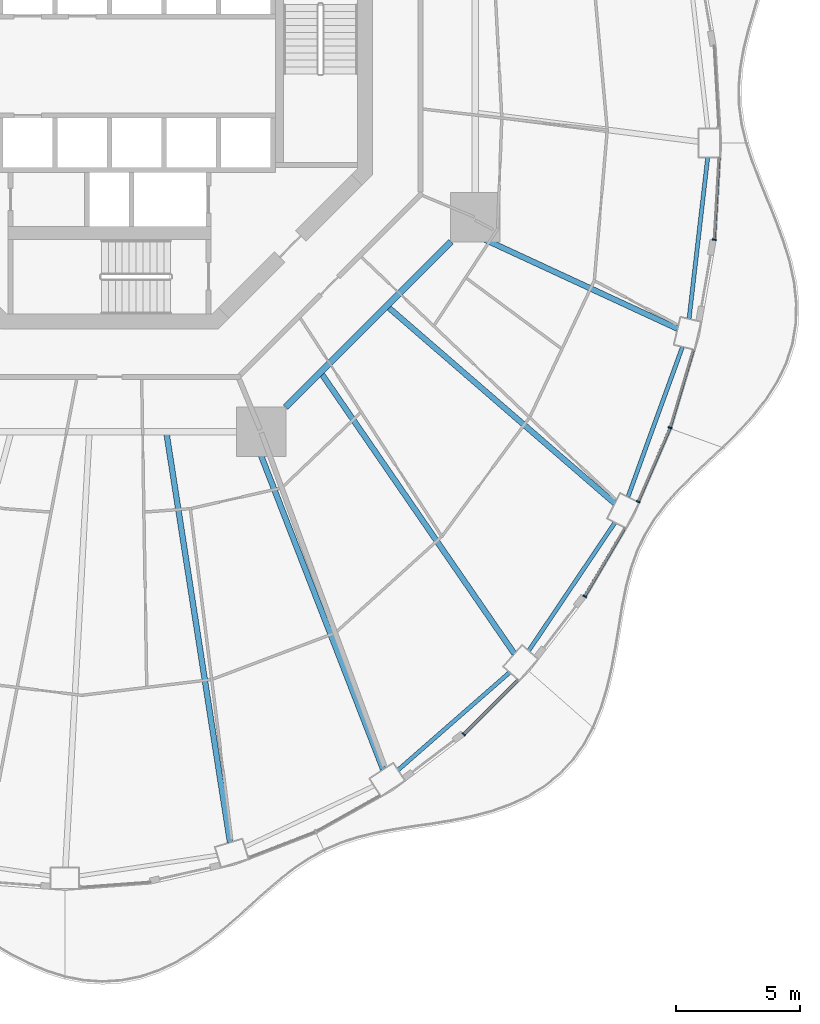
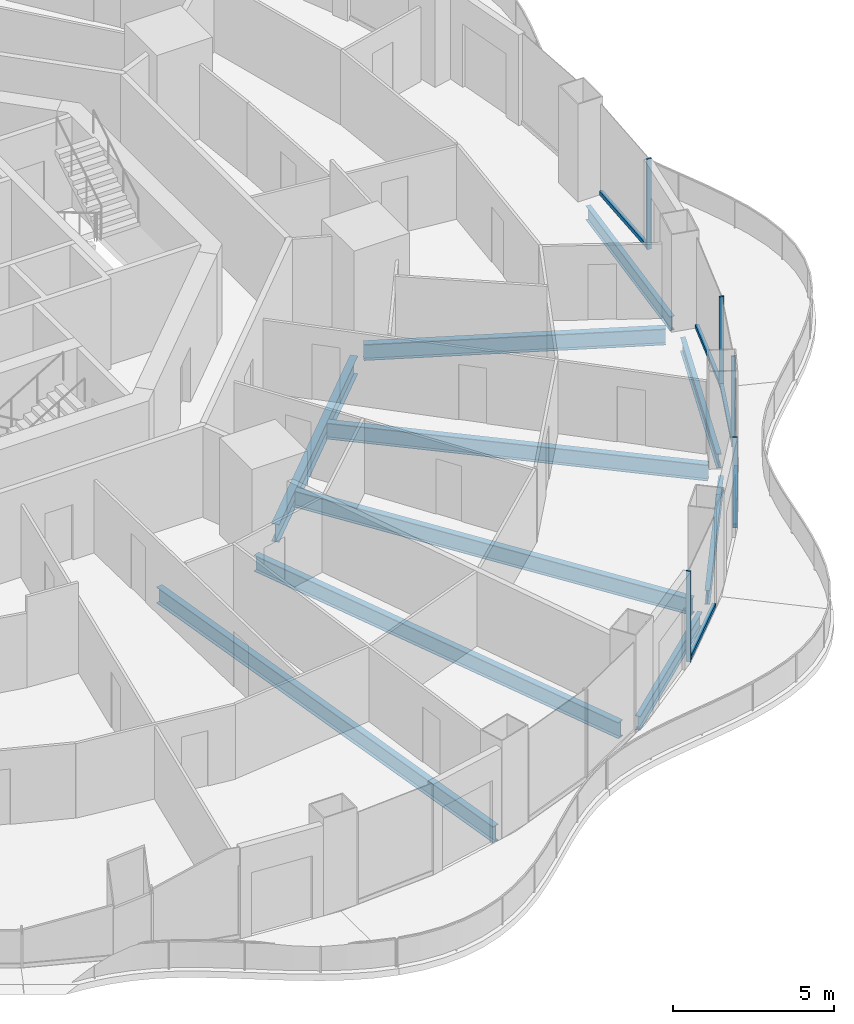
# One storey, part 6 of 21: 10 beams, 10 members, 5 elements without a shape of their own.
"""IFC4 building model written with IfcOpenShell, lengths in metres."""

from ifc_helpers import new_model, si_unit, direction, frame, origin, origin_2d, place, context, subcontext, project, spatial, rectangle, i_section, extrude, material, layer, layer_set, material_profile, profile_set, type_object, element, aggregate, save


model = new_model("IFC4")

# Units and contexts
model_context = context("Model", 3, precision=1e-05, world=origin(), true_north=direction((0.0, 1.0)))
body_context = subcontext(model_context, "Body", "Model", "MODEL_VIEW")
ifc_project = project(units=[si_unit("LENGTHUNIT", "METRE"), si_unit("AREAUNIT", "SQUARE_METRE"), si_unit("VOLUMEUNIT", "CUBIC_METRE"), si_unit("PLANEANGLEUNIT", "RADIAN"), si_unit("MASSUNIT", "GRAM", prefix="KILO")], contexts=[model_context])

# Site, building, storey
site_placement = place(None, origin())
site = spatial("IfcSite", under=ifc_project, at=site_placement, CompositionType="ELEMENT")
building_placement = place(site_placement, origin())
building = spatial("IfcBuilding", under=site, at=building_placement, Name="Nagisa Residences", CompositionType="ELEMENT")
storey_placement = place(building_placement, frame((0.0, 0.0, 134.39990234375)))
storey = spatial("IfcBuildingStorey", under=building, at=storey_placement, Name="L33", CompositionType="ELEMENT", Elevation=134.39990234375)

# Curtain wall, member
ifc_material_1 = material(Name="Concrete-coloured aluminium curtain wall system", Category="concrete")
ifc_layer = layer(ifc_material_1, 0.159912109375)
ifc_layer_set = layer_set([ifc_layer], Name="CW1 CURTAIN WALL")
curtain_wall_type = type_object("IfcCurtainWallType", Name="CW1 CURTAIN WALL", PredefinedType="NOTDEFINED", material=ifc_layer_set)
curtain_wall_1_placement = place(storey_placement, origin())
curtain_wall_1 = element("IfcCurtainWall", 1, at=curtain_wall_1_placement, inside=storey, type_object=curtain_wall_type, Name="cw:CW1:L33:41", PredefinedType="NOTDEFINED")
ifc_material_2 = material(Name="Concrete-coloured aluminium", Category="concrete")
ifc_material_profile_1 = material_profile(ifc_material_2, rectangle(XDim=0.159912109375, YDim=0.06005859375, at=origin_2d()), Name="CW1 MULLION 160x60")
ifc_profile_set_1 = profile_set([ifc_material_profile_1], Name="Concrete-coloured aluminium")
member_type_1 = type_object("IfcMemberType", Name="CW1 MULLION 160x60", PredefinedType="MULLION", material=ifc_profile_set_1)
member_1_placement = place(storey_placement, frame((14.318115234375, -26.9951171875, 0.0), z_axis=(0.0, 0.0, 1.0), x_axis=(-0.706376885714, 0.707835924016, 0.0)))
member_1 = element("IfcMember", 2, at=member_1_placement, type_object=member_type_1, Name="CW1 mullion", PredefinedType="MULLION", context=body_context, shape_type="SweptSolid", body=[
    extrude(rectangle(XDim=0.159912109375, YDim=0.06005859375, at=origin_2d()), origin(), (0.0, 0.0, 1.0), 3.440185546875),
])

curtain_wall_2_placement = place(storey_placement, origin())
curtain_wall_2 = element("IfcCurtainWall", 3, at=curtain_wall_2_placement, inside=storey, type_object=curtain_wall_type, Name="cw:CW1:L33:43", PredefinedType="NOTDEFINED")
member_2_placement = place(storey_placement, frame((19.19775390625, -21.432861328125, 0.0), z_axis=(0.0, 0.0, 1.0), x_axis=(-0.862328898214, 0.506348567002, 0.0)))
member_2 = element("IfcMember", 4, at=member_2_placement, type_object=member_type_1, Name="CW1 mullion", PredefinedType="MULLION", context=body_context, shape_type="SweptSolid", body=[
    extrude(rectangle(XDim=0.159912109375, YDim=0.06005859375, at=origin_2d()), origin(), (0.0, 0.0, 1.0), 3.440185546875),
])

curtain_wall_3_placement = place(storey_placement, origin())
curtain_wall_3 = element("IfcCurtainWall", 5, at=curtain_wall_3_placement, inside=storey, type_object=curtain_wall_type, Name="cw:CW1:L33:44", PredefinedType="NOTDEFINED")
member_3_placement = place(storey_placement, frame((21.357177734375, -17.605224609375, 0.0), z_axis=(0.0, 0.0, 1.0), x_axis=(-0.917543276295, 0.397635934147, 0.0)))
member_3 = element("IfcMember", 6, at=member_3_placement, type_object=member_type_1, Name="CW1 mullion", PredefinedType="MULLION", context=body_context, shape_type="SweptSolid", body=[
    extrude(rectangle(XDim=0.159912109375, YDim=0.06005859375, at=origin_2d()), origin(), (0.0, 0.0, 1.0), 3.440185546875),
])

curtain_wall_4_placement = place(storey_placement, origin())
curtain_wall_4 = element("IfcCurtainWall", 7, at=curtain_wall_4_placement, inside=storey, type_object=curtain_wall_type, Name="cw:CW1:L33:45", PredefinedType="NOTDEFINED")
member_4_placement = place(storey_placement, frame((22.64697265625, -14.62109375, 0.0), z_axis=(0.0, 0.0, 1.0), x_axis=(-0.958271310082, 0.285860274038, 0.0)))
member_4 = element("IfcMember", 8, at=member_4_placement, type_object=member_type_1, Name="CW1 mullion", PredefinedType="MULLION", context=body_context, shape_type="SweptSolid", body=[
    extrude(rectangle(XDim=0.159912109375, YDim=0.06005859375, at=origin_2d()), origin(), (0.0, 0.0, 1.0), 3.440185546875),
])

curtain_wall_5_placement = place(storey_placement, origin())
curtain_wall_5 = element("IfcCurtainWall", 9, at=curtain_wall_5_placement, inside=storey, type_object=curtain_wall_type, Name="cw:CW1:L33:47", PredefinedType="NOTDEFINED")
member_5_placement = place(storey_placement, frame((24.429931640625, -7.0244140625, 0.0), z_axis=(0.0, 0.0, 1.0), x_axis=(-0.998345305184, 0.057503492216, 0.0)))
member_5 = element("IfcMember", 10, at=member_5_placement, type_object=member_type_1, Name="CW1 mullion", PredefinedType="MULLION", context=body_context, shape_type="SweptSolid", body=[
    extrude(rectangle(XDim=0.159912109375, YDim=0.06005859375, at=origin_2d()), origin(), (0.0, 0.0, 1.0), 3.440185546875),
])

# Member
ifc_material_3 = material(Name="Concrete-coloured aluminium", Category="concrete")
ifc_material_profile_2 = material_profile(ifc_material_3, rectangle(XDim=0.1201171875, YDim=0.14990234375, at=origin_2d()), Name="CW1 TRANSOM 120x150")
ifc_profile_set_2 = profile_set([ifc_material_profile_2], Name="Concrete-coloured aluminium")
member_type_2 = type_object("IfcMemberType", Name="CW1 TRANSOM 120x150", PredefinedType="USERDEFINED", material=ifc_profile_set_2)
member_6_placement = place(storey_placement, frame((14.296875, -27.016357421875, 0.0751953125), z_axis=(0.707857739375, 0.706355024621, 0.0), x_axis=(-0.706355024621, 0.707857739375, 0.0)))
member_6 = element("IfcMember", 11, at=member_6_placement, type_object=member_type_2, Name="CW1 transom", ObjectType="TRANSOM", PredefinedType="USERDEFINED", context=body_context, shape_type="SweptSolid", body=[
    extrude(rectangle(XDim=0.1201171875, YDim=0.14990234375, at=origin_2d()), origin(), (0.0, 0.0, 1.0), 3.0869140625),
])

aggregate(curtain_wall_1, [member_1, member_6])

member_7_placement = place(storey_placement, frame((19.1826171875, -21.458740234375, 0.0751953125), z_axis=(0.506348207891, 0.86232910908, 0.0), x_axis=(-0.86232910908, 0.506348207891, 0.0)))
member_7 = element("IfcMember", 12, at=member_7_placement, type_object=member_type_2, Name="CW1 transom", ObjectType="TRANSOM", PredefinedType="USERDEFINED", context=body_context, shape_type="SweptSolid", body=[
    extrude(rectangle(XDim=0.1201171875, YDim=0.14990234375, at=origin_2d()), origin(), (0.0, 0.0, 1.0), 3.208251953125),
])

aggregate(curtain_wall_2, [member_2, member_7])

member_8_placement = place(storey_placement, frame((21.34521484375, -17.6328125, 0.0751953125), z_axis=(0.397666272939, 0.917530127771, 0.0), x_axis=(-0.917530127771, 0.397666272939, 0.0)))
member_8 = element("IfcMember", 13, at=member_8_placement, type_object=member_type_2, Name="CW1 transom", ObjectType="TRANSOM", PredefinedType="USERDEFINED", context=body_context, shape_type="SweptSolid", body=[
    extrude(rectangle(XDim=0.1201171875, YDim=0.14990234375, at=origin_2d()), origin(), (0.0, 0.0, 1.0), 3.260498046875),
])

aggregate(curtain_wall_3, [member_3, member_8])

member_9_placement = place(storey_placement, frame((22.638427734375, -14.64990234375, 0.0751953125), z_axis=(0.285909915381, 0.958256500258, 0.0), x_axis=(-0.958256500258, 0.285909915381, 0.0)))
member_9 = element("IfcMember", 14, at=member_9_placement, type_object=member_type_2, Name="CW1 transom", ObjectType="TRANSOM", PredefinedType="USERDEFINED", context=body_context, shape_type="SweptSolid", body=[
    extrude(rectangle(XDim=0.1201171875, YDim=0.14990234375, at=origin_2d()), origin(), (0.0, 0.0, 1.0), 3.302978515625),
])

aggregate(curtain_wall_4, [member_4, member_9])

member_10_placement = place(storey_placement, frame((24.42822265625, -7.054443359375, 0.0751953125), z_axis=(0.05746514539, 0.998347513176, 0.0), x_axis=(-0.998347513176, 0.05746514539, 0.0)))
member_10 = element("IfcMember", 15, at=member_10_placement, type_object=member_type_2, Name="CW1 transom", ObjectType="TRANSOM", PredefinedType="USERDEFINED", context=body_context, shape_type="SweptSolid", body=[
    extrude(rectangle(XDim=0.1201171875, YDim=0.14990234375, at=origin_2d()), origin(), (0.0, 0.0, 1.0), 3.347900390625),
])

aggregate(curtain_wall_5, [member_5, member_10])

# Beams
ifc_material_4 = material(Name="Steel ASTM A572 Gr 50", Category="steel")
ifc_material_profile_3 = material_profile(ifc_material_4, i_section(OverallWidth=0.25390625, OverallDepth=0.68408203125, WebThickness=0.012451171875, FlangeThickness=0.018798828125, at=origin_2d()), Name="W690x140")
ifc_profile_set_3 = profile_set([ifc_material_profile_3], Name="Steel ASTM A572 Gr 50")
beam_type_1 = type_object("IfcBeamType", Name="Inner ring beam W690x140", PredefinedType="BEAM", material=ifc_profile_set_3)
beam_1_placement = place(storey_placement, frame((7.10888671875, -13.796142578125, -0.601806640625), z_axis=(0.707106781187, 0.707106781187, 0.0), x_axis=(-0.707106781187, 0.707106781187, 0.0)))
element("IfcBeam", 16, at=beam_1_placement, inside=storey, type_object=beam_type_1, Name="beam:L33:ib7", PredefinedType="BEAM", context=body_context, shape_type="SweptSolid", body=[
    extrude(i_section(OverallWidth=0.25390625, OverallDepth=0.68408203125, WebThickness=0.012451171875, FlangeThickness=0.018798828125, at=origin_2d()), origin(), (0.0, 0.0, 1.0), 9.457275390625),
])
ifc_material_5 = material(Name="Steel ASTM A572 Gr 50", Category="steel")
ifc_material_profile_4 = material_profile(ifc_material_5, i_section(OverallWidth=0.166015625, OverallDepth=0.534912109375, WebThickness=0.01025390625, FlangeThickness=0.0166015625, at=origin_2d()), Name="W530x85")
ifc_profile_set_4 = profile_set([ifc_material_profile_4], Name="Steel ASTM A572 Gr 50")
beam_type_2 = type_object("IfcBeamType", Name="Perimeter ring beam W530x85", PredefinedType="BEAM", material=ifc_profile_set_4)
beam_2_placement = place(storey_placement, frame((11.658203125, -28.448486328125, -0.52734375), z_axis=(0.75252371036, 0.658565156493, 0.0), x_axis=(-0.658565156493, 0.75252371036, 0.0)))
element("IfcBeam", 17, at=beam_2_placement, inside=storey, type_object=beam_type_2, Name="beam:L33:pb21", PredefinedType="BEAM", context=body_context, shape_type="SweptSolid", body=[
    extrude(i_section(OverallWidth=0.166015625, OverallDepth=0.534912109375, WebThickness=0.01025390625, FlangeThickness=0.0166015625, at=origin_2d()), origin(), (0.0, 0.0, 1.0), 5.994384765625),
])
beam_3_placement = place(storey_placement, frame((16.93603515625, -23.6298828125, -0.52734375), z_axis=(0.558187951157, 0.82971453596, 0.0), x_axis=(-0.82971453596, 0.558187951157, 0.0)))
element("IfcBeam", 18, at=beam_3_placement, inside=storey, type_object=beam_type_2, Name="beam:L33:pb22", PredefinedType="BEAM", context=body_context, shape_type="SweptSolid", body=[
    extrude(i_section(OverallWidth=0.166015625, OverallDepth=0.534912109375, WebThickness=0.01025390625, FlangeThickness=0.0166015625, at=origin_2d()), origin(), (0.0, 0.0, 1.0), 6.24267578125),
])
beam_4_placement = place(storey_placement, frame((20.946533203125, -17.415771484375, -0.52734375), z_axis=(0.341332802315, 0.93994250785, 0.0), x_axis=(-0.93994250785, 0.341332802315, 0.0)))
element("IfcBeam", 19, at=beam_4_placement, inside=storey, type_object=beam_type_2, Name="beam:L33:pb23", PredefinedType="BEAM", context=body_context, shape_type="SweptSolid", body=[
    extrude(i_section(OverallWidth=0.166015625, OverallDepth=0.534912109375, WebThickness=0.01025390625, FlangeThickness=0.0166015625, at=origin_2d()), origin(), (0.0, 0.0, 1.0), 6.450927734375),
])
beam_5_placement = place(storey_placement, frame((23.414794921875, -10.22314453125, -0.52734375), z_axis=(0.114660786771, 0.993404703017, 0.0), x_axis=(-0.993404703017, 0.114660786771, 0.0)))
element("IfcBeam", 20, at=beam_5_placement, inside=storey, type_object=beam_type_2, Name="beam:L33:pb24", PredefinedType="BEAM", context=body_context, shape_type="SweptSolid", body=[
    extrude(i_section(OverallWidth=0.166015625, OverallDepth=0.534912109375, WebThickness=0.01025390625, FlangeThickness=0.0166015625, at=origin_2d()), origin(), (0.0, 0.0, 1.0), 6.568603515625),
])
ifc_material_6 = material(Name="Steel ASTM A572 Gr 50", Category="steel")
ifc_material_profile_5 = material_profile(ifc_material_6, i_section(OverallWidth=0.22900390625, OverallDepth=0.612060546875, WebThickness=0.011962890625, FlangeThickness=0.01953125, at=origin_2d()), Name="W610x125")
ifc_profile_set_5 = profile_set([ifc_material_profile_5], Name="Steel ASTM A572 Gr 50")
beam_type_3 = type_object("IfcBeamType", Name="Radial beam W610x125", PredefinedType="BEAM", material=ifc_profile_set_5)
beam_6_placement = place(storey_placement, frame((4.87158203125, -31.371337890625, -0.56591796875), z_axis=(-0.153441816097, 0.988157684316, 0.0), x_axis=(-0.988157684316, -0.153441816097, 0.0)))
element("IfcBeam", 21, at=beam_6_placement, inside=storey, type_object=beam_type_3, Name="beam:L33:rb20", PredefinedType="BEAM", context=body_context, shape_type="SweptSolid", body=[
    extrude(i_section(OverallWidth=0.22900390625, OverallDepth=0.612060546875, WebThickness=0.011962890625, FlangeThickness=0.01953125, at=origin_2d()), origin(), (0.0, 0.0, 1.0), 16.679443359375),
])
beam_7_placement = place(storey_placement, frame((11.057861328125, -28.424072265625, -0.56591796875), z_axis=(-0.362553351511, 0.931963018208, 0.0), x_axis=(-0.931963018208, -0.362553351511, 0.0)))
element("IfcBeam", 22, at=beam_7_placement, inside=storey, type_object=beam_type_3, Name="beam:L33:rb21", PredefinedType="BEAM", context=body_context, shape_type="SweptSolid", body=[
    extrude(i_section(OverallWidth=0.22900390625, OverallDepth=0.612060546875, WebThickness=0.011962890625, FlangeThickness=0.01953125, at=origin_2d()), origin(), (0.0, 0.0, 1.0), 14.521728515625),
])
beam_8_placement = place(storey_placement, frame((16.357666015625, -23.74951171875, -0.56591796875), z_axis=(-0.567235127754, 0.823555893575, 0.0), x_axis=(-0.823555893575, -0.567235127754, 0.0)))
element("IfcBeam", 23, at=beam_8_placement, inside=storey, type_object=beam_type_3, Name="beam:L33:rb22", PredefinedType="BEAM", context=body_context, shape_type="SweptSolid", body=[
    extrude(i_section(OverallWidth=0.22900390625, OverallDepth=0.612060546875, WebThickness=0.011962890625, FlangeThickness=0.01953125, at=origin_2d()), origin(), (0.0, 0.0, 1.0), 13.697509765625),
])
beam_9_placement = place(storey_placement, frame((20.41162109375, -17.6748046875, -0.56591796875), z_axis=(-0.755973913649, 0.654601742957, 0.0), x_axis=(-0.654601742957, -0.755973913649, 0.0)))
element("IfcBeam", 24, at=beam_9_placement, inside=storey, type_object=beam_type_3, Name="beam:L33:rb23", PredefinedType="BEAM", context=body_context, shape_type="SweptSolid", body=[
    extrude(i_section(OverallWidth=0.22900390625, OverallDepth=0.612060546875, WebThickness=0.011962890625, FlangeThickness=0.01953125, at=origin_2d()), origin(), (0.0, 0.0, 1.0), 12.072998046875),
])
beam_10_placement = place(storey_placement, frame((22.94921875, -10.618896484375, -0.56591796875), z_axis=(-0.907551024181, 0.419941827528, 0.0), x_axis=(-0.419941827528, -0.907551024181, 0.0)))
element("IfcBeam", 25, at=beam_10_placement, inside=storey, type_object=beam_type_3, Name="beam:L33:rb24", PredefinedType="BEAM", context=body_context, shape_type="SweptSolid", body=[
    extrude(i_section(OverallWidth=0.22900390625, OverallDepth=0.612060546875, WebThickness=0.011962890625, FlangeThickness=0.01953125, at=origin_2d()), origin(), (0.0, 0.0, 1.0), 9.424072265625),
])

save(model, "model.ifc")
